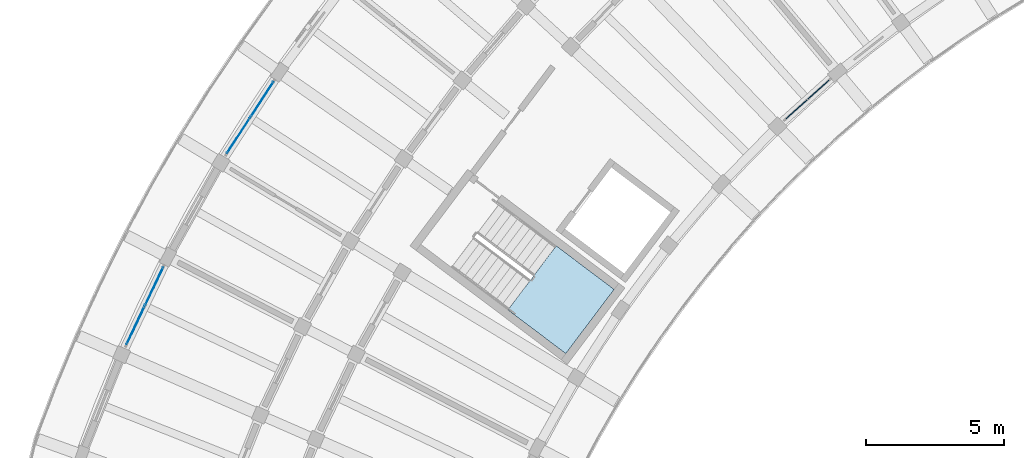
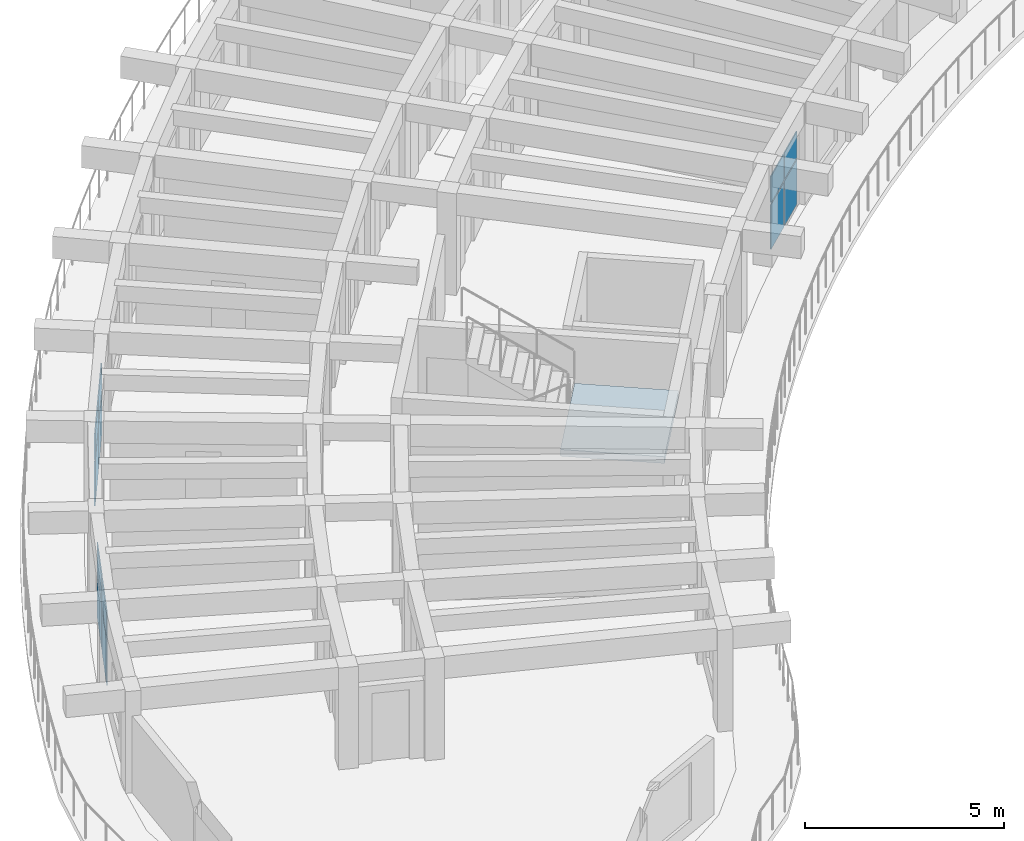
# One storey, part 28 of 62: 12 plates, 1 slab, 4 elements without a shape of their own.
"""IFC4 building model written with IfcOpenShell, lengths in metres."""

from ifc_helpers import new_model, si_unit, direction, frame, origin, origin_2d, place, context, subcontext, project, spatial, polyline, rectangle, outline, extrude, material, layer, layer_set, type_object, element, aggregate, save


model = new_model("IFC4")

# Units and contexts
model_context = context("Model", 3, precision=1e-05, world=origin(), true_north=direction((0.0, 1.0)))
body_context = subcontext(model_context, "Body", "Model", "MODEL_VIEW")
ifc_project = project(units=[si_unit("LENGTHUNIT", "METRE"), si_unit("AREAUNIT", "SQUARE_METRE"), si_unit("VOLUMEUNIT", "CUBIC_METRE"), si_unit("PLANEANGLEUNIT", "RADIAN"), si_unit("MASSUNIT", "GRAM", prefix="KILO")], contexts=[model_context])

# Site, building, storey
site_placement = place(None, origin())
site = spatial("IfcSite", under=ifc_project, at=site_placement, CompositionType="ELEMENT")
building_placement = place(site_placement, origin())
building = spatial("IfcBuilding", under=site, at=building_placement, Name="Tanwirah Colonnade Gardens", CompositionType="ELEMENT")
storey_placement = place(building_placement, frame((0.0, 0.0, 32.360107421875)))
storey = spatial("IfcBuildingStorey", under=building, at=storey_placement, Name="L09", CompositionType="ELEMENT", Elevation=32.360107421875)

# Curtain wall, plates
ifc_material_1 = material(Name="Bronze-anodised aluminium and solar-control low-E glass", Category="aluminium")
curtain_wall_type_1 = type_object("IfcCurtainWallType", Name="CW-GDN", PredefinedType="NOTDEFINED", material=ifc_material_1)
curtain_wall_1_placement = place(storey_placement, origin())
curtain_wall_1 = element("IfcCurtainWall", 1, at=curtain_wall_1_placement, inside=storey, type_object=curtain_wall_type_1, Name="Curtain Wall CW-A-L09-IN-09", PredefinedType="NOTDEFINED")
ifc_material_2 = material(Name="Solar-control low-E double glazing", Category="glass")
ifc_layer_1 = layer(ifc_material_2, 0.028076171875)
ifc_layer_set_1 = layer_set([ifc_layer_1], Name="Solar-control low-E double glazing")
plate_type = type_object("IfcPlateType", Name="CWP-GLZ28", PredefinedType="CURTAIN_PANEL", material=ifc_layer_set_1)
plate_1_placement = place(storey_placement, frame((35.737548828125, 93.63134765625, 0.059814453125), z_axis=(0.0, 0.0, 1.0), x_axis=(-0.744440162253, -0.667689182798, 0.0)))
plate_1 = element("IfcPlate", 2, at=plate_1_placement, type_object=plate_type, Name="CW-GDN panel 1.1", PredefinedType="CURTAIN_PANEL", context=body_context, shape_type="SweptSolid", body=[
    extrude(rectangle(XDim=1.01513671875, YDim=0.028076171875, at=origin_2d()), origin(), (0.0, 0.0, 1.0), 1.3701171875),
])
plate_2_placement = place(storey_placement, frame((35.737548828125, 93.63134765625, 1.48974609375), z_axis=(0.0, 0.0, 1.0), x_axis=(-0.744440162253, -0.667689182798, 0.0)))
plate_2 = element("IfcPlate", 3, at=plate_2_placement, type_object=plate_type, Name="CW-GDN panel 1.2", PredefinedType="CURTAIN_PANEL", context=body_context, shape_type="SweptSolid", body=[
    extrude(rectangle(XDim=1.01513671875, YDim=0.028076171875, at=origin_2d()), origin(), (0.0, 0.0, 1.0), 0.804931640625),
])
plate_3_placement = place(storey_placement, frame((34.937255859375, 92.91357421875, 0.059814453125), z_axis=(0.0, 0.0, 1.0), x_axis=(-0.744440162253, -0.667689182798, 0.0)))
plate_3 = element("IfcPlate", 4, at=plate_3_placement, type_object=plate_type, Name="CW-GDN panel 2.1", PredefinedType="CURTAIN_PANEL", context=body_context, shape_type="SweptSolid", body=[
    extrude(rectangle(XDim=1.01513671875, YDim=0.028076171875, at=origin_2d()), origin(), (0.0, 0.0, 1.0), 1.3701171875),
])
plate_4_placement = place(storey_placement, frame((34.937255859375, 92.91357421875, 1.48974609375), z_axis=(0.0, 0.0, 1.0), x_axis=(-0.744440162253, -0.667689182798, 0.0)))
plate_4 = element("IfcPlate", 5, at=plate_4_placement, type_object=plate_type, Name="CW-GDN panel 2.2", PredefinedType="CURTAIN_PANEL", context=body_context, shape_type="SweptSolid", body=[
    extrude(rectangle(XDim=1.01513671875, YDim=0.028076171875, at=origin_2d()), origin(), (0.0, 0.0, 1.0), 0.804931640625),
])
aggregate(curtain_wall_1, [plate_1, plate_2, plate_3, plate_4])

curtain_wall_type_2 = type_object("IfcCurtainWallType", Name="CW-LOB", PredefinedType="NOTDEFINED", material=ifc_material_1)
curtain_wall_2_placement = place(storey_placement, origin())
curtain_wall_2 = element("IfcCurtainWall", 6, at=curtain_wall_2_placement, inside=storey, type_object=curtain_wall_type_2, Name="Curtain Wall CW-A-L09-OUT-13", PredefinedType="NOTDEFINED")
plate_5_placement = place(storey_placement, frame((15.5126953125, 93.275146484375, 0.059814453125), z_axis=(0.0, 0.0, 1.0), x_axis=(-0.544640065704, -0.838669898607, 0.0)))
plate_5 = element("IfcPlate", 7, at=plate_5_placement, type_object=plate_type, Name="CW-LOB panel 1.1", PredefinedType="CURTAIN_PANEL", context=body_context, shape_type="SweptSolid", body=[
    extrude(rectangle(XDim=1.512939453125, YDim=0.028076171875, at=origin_2d()), origin(), (0.0, 0.0, 1.0), 1.3701171875),
])
plate_6_placement = place(storey_placement, frame((15.5126953125, 93.275146484375, 1.48974609375), z_axis=(0.0, 0.0, 1.0), x_axis=(-0.544640065704, -0.838669898607, 0.0)))
plate_6 = element("IfcPlate", 8, at=plate_6_placement, type_object=plate_type, Name="CW-LOB panel 1.2", PredefinedType="CURTAIN_PANEL", context=body_context, shape_type="SweptSolid", body=[
    extrude(rectangle(XDim=1.512939453125, YDim=0.028076171875, at=origin_2d()), origin(), (0.0, 0.0, 1.0), 0.804931640625),
])
plate_7_placement = place(storey_placement, frame((14.656005859375, 91.9560546875, 0.059814453125), z_axis=(0.0, 0.0, 1.0), x_axis=(-0.544640065704, -0.838669898607, 0.0)))
plate_7 = element("IfcPlate", 9, at=plate_7_placement, type_object=plate_type, Name="CW-LOB panel 2.1", PredefinedType="CURTAIN_PANEL", context=body_context, shape_type="SweptSolid", body=[
    extrude(rectangle(XDim=1.512939453125, YDim=0.028076171875, at=origin_2d()), origin(), (0.0, 0.0, 1.0), 1.3701171875),
])
plate_8_placement = place(storey_placement, frame((14.656005859375, 91.9560546875, 1.48974609375), z_axis=(0.0, 0.0, 1.0), x_axis=(-0.544640065704, -0.838669898607, 0.0)))
plate_8 = element("IfcPlate", 10, at=plate_8_placement, type_object=plate_type, Name="CW-LOB panel 2.2", PredefinedType="CURTAIN_PANEL", context=body_context, shape_type="SweptSolid", body=[
    extrude(rectangle(XDim=1.512939453125, YDim=0.028076171875, at=origin_2d()), origin(), (0.0, 0.0, 1.0), 0.804931640625),
])
aggregate(curtain_wall_2, [plate_5, plate_6, plate_7, plate_8])

curtain_wall_3_placement = place(storey_placement, origin())
curtain_wall_3 = element("IfcCurtainWall", 11, at=curtain_wall_3_placement, inside=storey, type_object=curtain_wall_type_2, Name="Curtain Wall CW-A-L09-OUT-15", PredefinedType="NOTDEFINED")
plate_9_placement = place(storey_placement, frame((11.59326171875, 86.48095703125, 0.059814453125), z_axis=(0.0, 0.0, 1.0), x_axis=(-0.429635439138, -0.903002430471, 0.0)))
plate_9 = element("IfcPlate", 12, at=plate_9_placement, type_object=plate_type, Name="CW-LOB panel 1.1", PredefinedType="CURTAIN_PANEL", context=body_context, shape_type="SweptSolid", body=[
    extrude(rectangle(XDim=1.512939453125, YDim=0.028076171875, at=origin_2d()), origin(), (0.0, 0.0, 1.0), 1.3701171875),
])
plate_10_placement = place(storey_placement, frame((11.59326171875, 86.48095703125, 1.48974609375), z_axis=(0.0, 0.0, 1.0), x_axis=(-0.429635439138, -0.903002430471, 0.0)))
plate_10 = element("IfcPlate", 13, at=plate_10_placement, type_object=plate_type, Name="CW-LOB panel 1.2", PredefinedType="CURTAIN_PANEL", context=body_context, shape_type="SweptSolid", body=[
    extrude(rectangle(XDim=1.512939453125, YDim=0.028076171875, at=origin_2d()), origin(), (0.0, 0.0, 1.0), 0.804931640625),
])
plate_11_placement = place(storey_placement, frame((10.91748046875, 85.060791015625, 0.059814453125), z_axis=(0.0, 0.0, 1.0), x_axis=(-0.429635439138, -0.903002430471, 0.0)))
plate_11 = element("IfcPlate", 14, at=plate_11_placement, type_object=plate_type, Name="CW-LOB panel 2.1", PredefinedType="CURTAIN_PANEL", context=body_context, shape_type="SweptSolid", body=[
    extrude(rectangle(XDim=1.512939453125, YDim=0.028076171875, at=origin_2d()), origin(), (0.0, 0.0, 1.0), 1.3701171875),
])
plate_12_placement = place(storey_placement, frame((10.91748046875, 85.060791015625, 1.48974609375), z_axis=(0.0, 0.0, 1.0), x_axis=(-0.429635439138, -0.903002430471, 0.0)))
plate_12 = element("IfcPlate", 15, at=plate_12_placement, type_object=plate_type, Name="CW-LOB panel 2.2", PredefinedType="CURTAIN_PANEL", context=body_context, shape_type="SweptSolid", body=[
    extrude(rectangle(XDim=1.512939453125, YDim=0.028076171875, at=origin_2d()), origin(), (0.0, 0.0, 1.0), 0.804931640625),
])
aggregate(curtain_wall_3, [plate_9, plate_10, plate_11, plate_12])

# Stair, slab
ifc_material_3 = material(Name="Precast concrete C40/50", Category="concrete")
stair_type = type_object("IfcStairType", Name="ST-RES168", PredefinedType="HALF_TURN_STAIR", material=ifc_material_3)
stair_placement = place(storey_placement, origin())
stair = element("IfcStair", 16, at=stair_placement, inside=storey, type_object=stair_type, Name="L09 Block A Core 2 Exit Stair", PredefinedType="HALF_TURN_STAIR")
ifc_layer_2 = layer(ifc_material_3, 0.205078125)
ifc_layer_set_2 = layer_set([ifc_layer_2], Name="Precast concrete C40/50")
slab_type = type_object("IfcSlabType", Name="SL-LND-205", PredefinedType="LANDING", material=ifc_layer_set_2)
slab_placement = place(storey_placement, frame((0.0, 0.0, 1.474853515625)))
slab = element("IfcSlab", 17, at=slab_placement, type_object=slab_type, Name="ST-A2 landing 1", PredefinedType="LANDING", context=body_context, shape_type="SweptSolid", body=[
    extrude(outline(polyline([(24.44970703125, 85.623046875), (26.553955078125, 84.037353515625), (28.311279296875, 86.369384765625), (26.20703125, 87.955078125), (24.44970703125, 85.623046875)])), origin(), (0.0, 0.0, 1.0), 0.205078125),
])
aggregate(stair, [slab])

save(model, "model.ifc")
